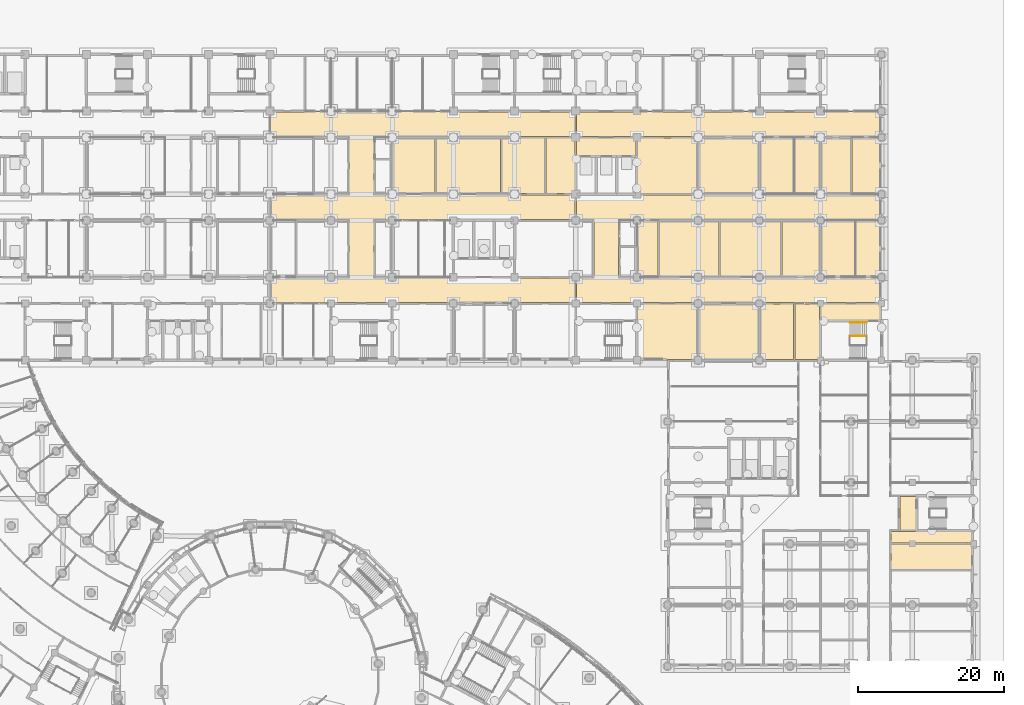
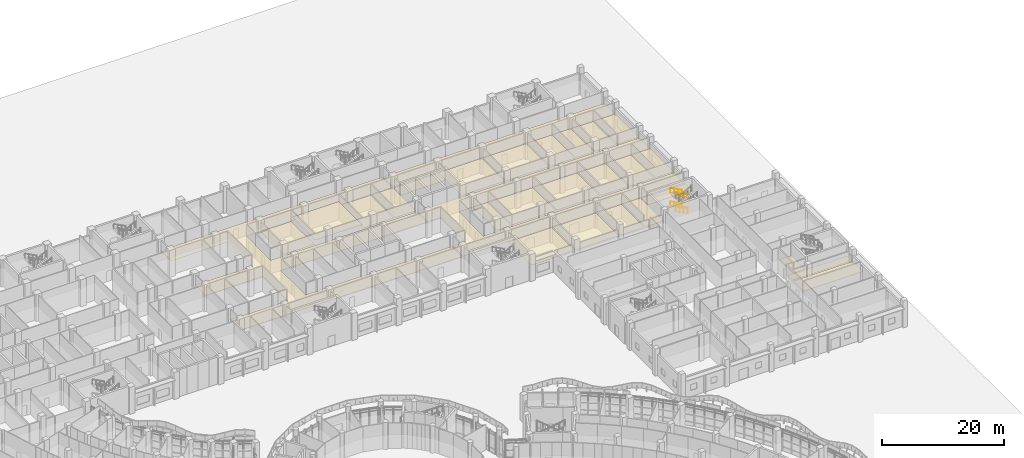
# One storey, part 138 of 146: 28 coverings, 4 railings.
"""IFC4 building model written with IfcOpenShell, lengths in metres."""

from ifc_helpers import new_model, si_unit, direction, frame, origin, origin_2d, place, context, subcontext, project, spatial, polyline, circle, outline, extrude, material, layer, layer_set, type_object, element, save


model = new_model("IFC4")

# Units and contexts
model_context = context("Model", 3, precision=1e-05, world=origin(), true_north=direction((0.0, 1.0)))
body_context = subcontext(model_context, "Body", "Model", "MODEL_VIEW")
ifc_project = project(units=[si_unit("LENGTHUNIT", "METRE"), si_unit("AREAUNIT", "SQUARE_METRE"), si_unit("VOLUMEUNIT", "CUBIC_METRE"), si_unit("PLANEANGLEUNIT", "RADIAN"), si_unit("MASSUNIT", "GRAM", prefix="KILO")], contexts=[model_context])

# Site, building, storey
site_placement = place(None, origin())
site = spatial("IfcSite", under=ifc_project, at=site_placement, CompositionType="ELEMENT")
building_placement = place(site_placement, origin())
building = spatial("IfcBuilding", under=site, at=building_placement, Name="Bougainvillea Quay General Hospital", CompositionType="ELEMENT")
storey_placement = place(building_placement, origin())
storey = spatial("IfcBuildingStorey", under=building, at=storey_placement, Name="L00", CompositionType="ELEMENT", Elevation=0.0)

# Railings
ifc_material_1 = material(Name="Stainless steel 304 balustrade", Category="steel")
railing_type_1 = type_object("IfcRailingType", Name="Stair guard 1100", PredefinedType="GUARDRAIL", material=ifc_material_1)
railing_1_placement = place(storey_placement, frame((191.10009765625, 120.949951171875, 0.14990234375)))
element("IfcRailing", 1, at=railing_1_placement, inside=storey, type_object=railing_type_1, Name="L00 ST-D4 stair guard 1", PredefinedType="GUARDRAIL", context=body_context, shape_type="SweptSolid", body=[
    extrude(circle(Radius=0.02392578125, at=origin_2d()), frame((0.0, 0.0, 1.076171875), z_axis=(-0.881447119201, 0.0, 0.472282728937), x_axis=(0.0, -1.0, 0.0)), (0.0, 0.0, 1.0), 2.541259765625),
    extrude(circle(Radius=0.02099609375, at=origin_2d()), origin(), (0.0, 0.0, 1.0), 1.052001953125),
    extrude(circle(Radius=0.02099609375, at=origin_2d()), frame((-0.74658203125, 0.0, 0.400146484375)), (0.0, 0.0, 1.0), 1.052001953125),
    extrude(circle(Radius=0.02099609375, at=origin_2d()), frame((-1.493408203125, 0.0, 0.800048828125)), (0.0, 0.0, 1.0), 1.052001953125),
    extrude(circle(Radius=0.02099609375, at=origin_2d()), frame((-2.239990234375, 0.0, 1.2001953125)), (0.0, 0.0, 1.0), 1.052001953125),
])
railing_2_placement = place(storey_placement, frame((191.10009765625, 120.949951171875, 2.85009765625)))
element("IfcRailing", 2, at=railing_2_placement, inside=storey, type_object=railing_type_1, Name="L00 ST-D4 stair guard 5", PredefinedType="GUARDRAIL", context=body_context, shape_type="SweptSolid", body=[
    extrude(circle(Radius=0.02392578125, at=origin_2d()), frame((0.0, 0.0, 1.076171875), z_axis=(-0.881487111273, 0.0, 0.472208081951), x_axis=(0.0, -1.0, 0.0)), (0.0, 0.0, 1.0), 2.541259765625),
    extrude(circle(Radius=0.02099609375, at=origin_2d()), origin(), (0.0, 0.0, 1.0), 1.052001953125),
    extrude(circle(Radius=0.02099609375, at=origin_2d()), frame((-0.74658203125, 0.0, 0.39990234375)), (0.0, 0.0, 1.0), 1.052001953125),
    extrude(circle(Radius=0.02099609375, at=origin_2d()), frame((-1.493408203125, 0.0, 0.800048828125)), (0.0, 0.0, 1.0), 1.052001953125),
    extrude(circle(Radius=0.02099609375, at=origin_2d()), frame((-2.239990234375, 0.0, 1.199951171875)), (0.0, 0.0, 1.0), 1.052001953125),
])
ifc_material_2 = material(Name="Stainless steel 304 handrail", Category="steel")
railing_type_2 = type_object("IfcRailingType", Name="Stair handrail 900", PredefinedType="HANDRAIL", material=ifc_material_2)
railing_3_placement = place(storey_placement, frame((191.10009765625, 122.77490234375, 0.14990234375)))
element("IfcRailing", 3, at=railing_3_placement, inside=storey, type_object=railing_type_2, Name="L00 ST-D4 stair handrail 1", PredefinedType="HANDRAIL", context=body_context, shape_type="SweptSolid", body=[
    extrude(circle(Radius=0.02392578125, at=origin_2d()), frame((0.0, 0.0, 0.8759765625), z_axis=(-0.881447119201, 0.0, 0.472282728937), x_axis=(0.0, -1.0, 0.0)), (0.0, 0.0, 1.0), 2.541259765625),
    extrude(circle(Radius=0.02099609375, at=origin_2d()), origin(), (0.0, 0.0, 1.0), 0.851806640625),
    extrude(circle(Radius=0.02099609375, at=origin_2d()), frame((-0.74658203125, 0.0, 0.400146484375)), (0.0, 0.0, 1.0), 0.851806640625),
    extrude(circle(Radius=0.02099609375, at=origin_2d()), frame((-1.493408203125, 0.0, 0.800048828125)), (0.0, 0.0, 1.0), 0.851806640625),
    extrude(circle(Radius=0.02099609375, at=origin_2d()), frame((-2.239990234375, 0.0, 1.2001953125)), (0.0, 0.0, 1.0), 0.851806640625),
])
railing_4_placement = place(storey_placement, frame((191.10009765625, 122.77490234375, 2.85009765625)))
element("IfcRailing", 4, at=railing_4_placement, inside=storey, type_object=railing_type_2, Name="L00 ST-D4 stair handrail 3", PredefinedType="HANDRAIL", context=body_context, shape_type="SweptSolid", body=[
    extrude(circle(Radius=0.02392578125, at=origin_2d()), frame((0.0, 0.0, 0.8759765625), z_axis=(-0.881487111273, 0.0, 0.472208081951), x_axis=(0.0, -1.0, 0.0)), (0.0, 0.0, 1.0), 2.541259765625),
    extrude(circle(Radius=0.02099609375, at=origin_2d()), origin(), (0.0, 0.0, 1.0), 0.851806640625),
    extrude(circle(Radius=0.02099609375, at=origin_2d()), frame((-0.74658203125, 0.0, 0.39990234375)), (0.0, 0.0, 1.0), 0.851806640625),
    extrude(circle(Radius=0.02099609375, at=origin_2d()), frame((-1.493408203125, 0.0, 0.800048828125)), (0.0, 0.0, 1.0), 0.851806640625),
    extrude(circle(Radius=0.02099609375, at=origin_2d()), frame((-2.239990234375, 0.0, 1.199951171875)), (0.0, 0.0, 1.0), 0.851806640625),
])

# Coverings
ifc_material_3 = material(Name="Mineral fibre ceiling tile")
ifc_layer = layer(ifc_material_3, 0.030029296875)
ifc_layer_set = layer_set([ifc_layer], Name="Mineral fibre ceiling tile")
covering_type = type_object("IfcCoveringType", Name="Suspended ceiling mineral fibre tile", PredefinedType="CEILING", material=ifc_layer_set)
covering_1_placement = place(storey_placement, frame((0.0, 0.0, 2.699951171875)))
element("IfcCovering", 5, at=covering_1_placement, inside=storey, type_object=covering_type, Name="Ceiling Corridor V4-3", PredefinedType="CEILING", context=body_context, shape_type="SweptSolid", body=[
    extrude(outline(polyline([(193.199951171875, 140.35009765625), (189.10009765625, 140.35009765625), (189.10009765625, 140.300048828125), (184.699951171875, 140.300048828125), (184.699951171875, 140.35009765625), (176.5, 140.35009765625), (176.5, 140.300048828125), (159.5, 140.300048828125), (159.5, 140.35009765625), (151.300048828125, 140.35009765625), (151.300048828125, 136.89990234375), (153.699951171875, 136.89990234375), (153.699951171875, 128.89990234375), (151.300048828125, 128.89990234375), (151.300048828125, 125.5), (181.300048828125, 125.5), (181.300048828125, 125.449951171875), (184.699951171875, 125.449951171875), (184.699951171875, 125.5), (193.199951171875, 125.5), (193.199951171875, 128.949951171875), (184.89990234375, 128.949951171875), (184.89990234375, 128.89990234375), (162.5, 128.89990234375), (162.5, 128.949951171875), (159.699951171875, 128.949951171875), (159.699951171875, 128.89990234375), (157.10009765625, 128.89990234375), (157.10009765625, 133.300048828125), (157.14990234375, 133.300048828125), (157.14990234375, 136.85009765625), (162.5, 136.85009765625), (162.5, 136.89990234375), (184.89990234375, 136.89990234375), (184.89990234375, 136.85009765625), (193.199951171875, 136.85009765625), (193.199951171875, 140.35009765625)])), origin(), (0.0, 0.0, 1.0), 0.030029296875),
])
covering_2_placement = place(storey_placement, frame((0.0, 0.0, 2.699951171875)))
element("IfcCovering", 6, at=covering_2_placement, inside=storey, type_object=covering_type, Name="Ceiling Corridor V4-4", PredefinedType="CEILING", context=body_context, shape_type="SweptSolid", body=[
    extrude(outline(polyline([(193.199951171875, 151.75), (184.89990234375, 151.75), (184.89990234375, 151.699951171875), (176.300048828125, 151.699951171875), (176.300048828125, 151.75), (172.89990234375, 151.75), (172.89990234375, 151.699951171875), (163.10009765625, 151.699951171875), (163.10009765625, 151.75), (159.699951171875, 151.75), (159.699951171875, 151.699951171875), (151.300048828125, 151.699951171875), (151.300048828125, 148.300048828125), (176.5, 148.300048828125), (176.5, 148.25), (184.699951171875, 148.25), (184.699951171875, 148.300048828125), (189.10009765625, 148.300048828125), (189.10009765625, 148.25), (193.199951171875, 148.25), (193.199951171875, 151.75)])), origin(), (0.0, 0.0, 1.0), 0.030029296875),
])
covering_3_placement = place(storey_placement, frame((0.0, 0.0, 2.699951171875)))
element("IfcCovering", 7, at=covering_3_placement, inside=storey, type_object=covering_type, Name="Ceiling Corridor V4-5", PredefinedType="CEILING", context=body_context, shape_type="SweptSolid", body=[
    extrude(outline(polyline([(109.300048828125, 136.85009765625), (112.699951171875, 136.85009765625), (112.699951171875, 136.89990234375), (120.10009765625, 136.89990234375), (120.10009765625, 128.89990234375), (112.699951171875, 128.89990234375), (112.699951171875, 128.949951171875), (109.300048828125, 128.949951171875), (109.300048828125, 125.449951171875), (117.5, 125.449951171875), (117.5, 125.5), (138.699951171875, 125.5), (138.699951171875, 125.449951171875), (142.699951171875, 125.449951171875), (142.699951171875, 125.5), (151.10009765625, 125.5), (151.10009765625, 128.89990234375), (134.300048828125, 128.89990234375), (134.300048828125, 128.949951171875), (126.10009765625, 128.949951171875), (126.10009765625, 128.89990234375), (123.5, 128.89990234375), (123.5, 136.89990234375), (126.10009765625, 136.89990234375), (126.10009765625, 136.85009765625), (142.699951171875, 136.85009765625), (142.699951171875, 136.89990234375), (151.10009765625, 136.89990234375), (151.10009765625, 140.300048828125), (123.5, 140.300048828125), (123.5, 145.300048828125), (123.550048828125, 145.300048828125), (123.550048828125, 148.25), (125.89990234375, 148.25), (125.89990234375, 148.300048828125), (151.10009765625, 148.300048828125), (151.10009765625, 151.699951171875), (134.300048828125, 151.699951171875), (134.300048828125, 151.75), (114.097900390625, 151.75), (114.097900390625, 151.699951171875), (109.300048828125, 151.699951171875), (109.300048828125, 148.25), (115.10009765625, 148.25), (115.10009765625, 148.300048828125), (120.10009765625, 148.300048828125), (120.10009765625, 140.300048828125), (115.10009765625, 140.300048828125), (115.10009765625, 140.35009765625), (109.300048828125, 140.35009765625), (109.300048828125, 136.85009765625)])), origin(), (0.0, 0.0, 1.0), 0.030029296875),
])
covering_4_placement = place(storey_placement, frame((0.0, 0.0, 2.699951171875)))
element("IfcCovering", 8, at=covering_4_placement, inside=storey, type_object=covering_type, Name="Ceiling Fire Lift Lobby LB-A2", PredefinedType="CEILING", context=body_context, shape_type="SweptSolid", body=[
    extrude(outline(polyline([(159.5, 148.10009765625), (151.300048828125, 148.10009765625), (151.300048828125, 145.699951171875), (159.5, 145.699951171875), (159.5, 148.10009765625)])), origin(), (0.0, 0.0, 1.0), 0.030029296875),
])
covering_5_placement = place(storey_placement, frame((0.0, 0.0, 2.699951171875)))
element("IfcCovering", 9, at=covering_5_placement, inside=storey, type_object=covering_type, Name="Ceiling Smoke-proof Stair Vestibule ST-D4", PredefinedType="CEILING", context=body_context, shape_type="SweptSolid", body=[
    extrude(outline(polyline([(193.199951171875, 125.300048828125), (184.89990234375, 125.300048828125), (184.89990234375, 123.10009765625), (193.199951171875, 123.10009765625), (193.199951171875, 125.300048828125)])), origin(), (0.0, 0.0, 1.0), 0.030029296875),
])
covering_6_placement = place(storey_placement, frame((0.0, 0.0, 2.699951171875)))
element("IfcCovering", 10, at=covering_6_placement, inside=storey, type_object=covering_type, Name="Ceiling Smoke-proof Stair Vestibule ST-T2", PredefinedType="CEILING", context=body_context, shape_type="SweptSolid", body=[
    extrude(outline(polyline([(197.89990234375, 94.300048828125), (197.89990234375, 98.89990234375), (195.699951171875, 98.89990234375), (195.699951171875, 94.300048828125), (197.89990234375, 94.300048828125)])), origin(), (0.0, 0.0, 1.0), 0.030029296875),
])
covering_7_placement = place(storey_placement, frame((0.0, 0.0, 2.800048828125)))
element("IfcCovering", 11, at=covering_7_placement, inside=storey, type_object=covering_type, Name="Ceiling Theatre Sterile Pack Store", PredefinedType="CEILING", context=body_context, shape_type="SweptSolid", body=[
    extrude(outline(polyline([(205.800048828125, 94.10009765625), (194.5, 94.10009765625), (194.5, 92.5), (205.800048828125, 92.5), (205.800048828125, 94.10009765625)])), origin(), (0.0, 0.0, 1.0), 0.030029296875),
])
covering_8_placement = place(storey_placement, frame((0.0, 0.0, 2.800048828125)))
element("IfcCovering", 12, at=covering_8_placement, inside=storey, type_object=covering_type, Name="Ceiling Theatre Waste Holding Room", PredefinedType="CEILING", context=body_context, shape_type="SweptSolid", body=[
    extrude(outline(polyline([(205.800048828125, 92.300048828125), (194.5, 92.300048828125), (194.5, 88.89990234375), (205.800048828125, 88.89990234375), (205.800048828125, 92.300048828125)])), origin(), (0.0, 0.0, 1.0), 0.030029296875),
])
covering_9_placement = place(storey_placement, frame((0.0, 0.0, 2.800048828125)))
element("IfcCovering", 13, at=covering_9_placement, inside=storey, type_object=covering_type, Name="Ceiling Sterile Supply Receiving Room", PredefinedType="CEILING", context=body_context, shape_type="SweptSolid", body=[
    extrude(outline(polyline([(159.60009765625, 117.597900390625), (163.800048828125, 117.597900390625), (163.800048828125, 117.699951171875), (167.89990234375, 117.699951171875), (167.89990234375, 125.300048828125), (159.699951171875, 125.300048828125), (159.699951171875, 117.60009765625), (159.60009765625, 117.60009765625), (159.60009765625, 117.597900390625)])), origin(), (0.0, 0.0, 1.0), 0.030029296875),
])
covering_10_placement = place(storey_placement, frame((0.0, 0.0, 2.800048828125)))
element("IfcCovering", 14, at=covering_10_placement, inside=storey, type_object=covering_type, Name="Ceiling Sterile Supply Dispatch Room", PredefinedType="CEILING", context=body_context, shape_type="SweptSolid", body=[
    extrude(outline(polyline([(176.300048828125, 125.300048828125), (168.10009765625, 125.300048828125), (168.10009765625, 117.699951171875), (176.300048828125, 117.699951171875), (176.300048828125, 125.300048828125)])), origin(), (0.0, 0.0, 1.0), 0.030029296875),
])
covering_11_placement = place(storey_placement, frame((0.0, 0.0, 2.800048828125)))
element("IfcCovering", 15, at=covering_11_placement, inside=storey, type_object=covering_type, Name="Ceiling Instrument Tray Store", PredefinedType="CEILING", context=body_context, shape_type="SweptSolid", body=[
    extrude(outline(polyline([(181.10009765625, 125.300048828125), (176.5, 125.300048828125), (176.5, 117.699951171875), (181.10009765625, 117.699951171875), (181.10009765625, 125.300048828125)])), origin(), (0.0, 0.0, 1.0), 0.030029296875),
])
covering_12_placement = place(storey_placement, frame((0.0, 0.0, 2.800048828125)))
element("IfcCovering", 16, at=covering_12_placement, inside=storey, type_object=covering_type, Name="Ceiling Sterile Supply Trolley Park", PredefinedType="CEILING", context=body_context, shape_type="SweptSolid", body=[
    extrude(outline(polyline([(184.75, 117.699951171875), (184.75, 122.89990234375), (184.699951171875, 122.89990234375), (184.699951171875, 125.35009765625), (181.300048828125, 125.35009765625), (181.300048828125, 117.699951171875), (184.75, 117.699951171875)])), origin(), (0.0, 0.0, 1.0), 0.030029296875),
])
covering_13_placement = place(storey_placement, frame((0.0, 0.0, 2.800048828125)))
element("IfcCovering", 17, at=covering_13_placement, inside=storey, type_object=covering_type, Name="Ceiling Sterile Supply Staff WC", PredefinedType="CEILING", context=body_context, shape_type="SweptSolid", body=[
    extrude(outline(polyline([(159.64990234375, 133.300048828125), (159.699951171875, 133.300048828125), (159.699951171875, 129.050048828125), (162.5, 129.050048828125), (162.5, 136.75), (159.64990234375, 136.75), (159.64990234375, 133.300048828125)])), origin(), (0.0, 0.0, 1.0), 0.030029296875),
])
covering_14_placement = place(storey_placement, frame((0.0, 0.0, 2.800048828125)))
element("IfcCovering", 18, at=covering_14_placement, inside=storey, type_object=covering_type, Name="Ceiling Sterile Supply Receiving Room", PredefinedType="CEILING", context=body_context, shape_type="SweptSolid", body=[
    extrude(outline(polyline([(162.699951171875, 129.10009765625), (170.89990234375, 129.10009765625), (170.89990234375, 136.699951171875), (162.699951171875, 136.699951171875), (162.699951171875, 129.10009765625)])), origin(), (0.0, 0.0, 1.0), 0.030029296875),
])
covering_15_placement = place(storey_placement, frame((0.0, 0.0, 2.800048828125)))
element("IfcCovering", 19, at=covering_15_placement, inside=storey, type_object=covering_type, Name="Ceiling Sterile Supply Dispatch Room", PredefinedType="CEILING", context=body_context, shape_type="SweptSolid", body=[
    extrude(outline(polyline([(171.10009765625, 136.699951171875), (171.10009765625, 129.10009765625), (179.300048828125, 129.10009765625), (179.300048828125, 136.699951171875), (171.10009765625, 136.699951171875)])), origin(), (0.0, 0.0, 1.0), 0.030029296875),
])
covering_16_placement = place(storey_placement, frame((0.0, 0.0, 2.800048828125)))
element("IfcCovering", 20, at=covering_16_placement, inside=storey, type_object=covering_type, Name="Ceiling Instrument Tray Store", PredefinedType="CEILING", context=body_context, shape_type="SweptSolid", body=[
    extrude(outline(polyline([(184.699951171875, 129.10009765625), (184.699951171875, 136.699951171875), (179.5, 136.699951171875), (179.5, 129.10009765625), (184.699951171875, 129.10009765625)])), origin(), (0.0, 0.0, 1.0), 0.030029296875),
])
covering_17_placement = place(storey_placement, frame((0.0, 0.0, 2.800048828125)))
element("IfcCovering", 21, at=covering_17_placement, inside=storey, type_object=covering_type, Name="Ceiling Sterile Supply Trolley Park", PredefinedType="CEILING", context=body_context, shape_type="SweptSolid", body=[
    extrude(outline(polyline([(189.550048828125, 129.050048828125), (189.550048828125, 136.75), (184.89990234375, 136.75), (184.89990234375, 129.050048828125), (189.550048828125, 129.050048828125)])), origin(), (0.0, 0.0, 1.0), 0.030029296875),
])
covering_18_placement = place(storey_placement, frame((0.0, 0.0, 2.800048828125)))
element("IfcCovering", 22, at=covering_18_placement, inside=storey, type_object=covering_type, Name="Ceiling Sterile Supply Link Lobby", PredefinedType="CEILING", context=body_context, shape_type="SweptSolid", body=[
    extrude(outline(polyline([(193.199951171875, 136.75), (189.64990234375, 136.75), (189.64990234375, 129.050048828125), (193.199951171875, 129.050048828125), (193.199951171875, 136.75)])), origin(), (0.0, 0.0, 1.0), 0.030029296875),
])
covering_19_placement = place(storey_placement, frame((0.0, 0.0, 2.800048828125)))
element("IfcCovering", 23, at=covering_19_placement, inside=storey, type_object=covering_type, Name="Ceiling Laundry Soiled Linen Reception", PredefinedType="CEILING", context=body_context, shape_type="SweptSolid", body=[
    extrude(outline(polyline([(131.89990234375, 148.10009765625), (126.10009765625, 148.10009765625), (126.10009765625, 140.5), (131.89990234375, 140.5), (131.89990234375, 148.10009765625)])), origin(), (0.0, 0.0, 1.0), 0.030029296875),
])
covering_20_placement = place(storey_placement, frame((0.0, 0.0, 3.60009765625)))
element("IfcCovering", 24, at=covering_20_placement, inside=storey, type_object=covering_type, Name="Ceiling Laundry Washing Hall", PredefinedType="CEILING", context=body_context, shape_type="SweptSolid", body=[
    extrude(outline(polyline([(132.10009765625, 140.5), (140.89990234375, 140.5), (140.89990234375, 148.10009765625), (132.10009765625, 148.10009765625), (132.10009765625, 140.5)])), origin(), (0.0, 0.0, 1.0), 0.02978515625),
])
covering_21_placement = place(storey_placement, frame((0.0, 0.0, 2.800048828125)))
element("IfcCovering", 25, at=covering_21_placement, inside=storey, type_object=covering_type, Name="Ceiling Laundry Finishing Room", PredefinedType="CEILING", context=body_context, shape_type="SweptSolid", body=[
    extrude(outline(polyline([(141.10009765625, 140.5), (146.89990234375, 140.5), (146.89990234375, 148.10009765625), (141.10009765625, 148.10009765625), (141.10009765625, 140.5)])), origin(), (0.0, 0.0, 1.0), 0.030029296875),
])
covering_22_placement = place(storey_placement, frame((0.0, 0.0, 2.800048828125)))
element("IfcCovering", 26, at=covering_22_placement, inside=storey, type_object=covering_type, Name="Ceiling Clean Linen Store", PredefinedType="CEILING", context=body_context, shape_type="SweptSolid", body=[
    extrude(outline(polyline([(147.10009765625, 148.10009765625), (147.10009765625, 140.5), (151.10009765625, 140.5), (151.10009765625, 148.10009765625), (147.10009765625, 148.10009765625)])), origin(), (0.0, 0.0, 1.0), 0.030029296875),
])
covering_23_placement = place(storey_placement, frame((0.0, 0.0, 2.800048828125)))
element("IfcCovering", 27, at=covering_23_placement, inside=storey, type_object=covering_type, Name="Ceiling Mortuary Body Store", PredefinedType="CEILING", context=body_context, shape_type="SweptSolid", body=[
    extrude(outline(polyline([(167.89990234375, 140.5), (167.89990234375, 148.10009765625), (159.699951171875, 148.10009765625), (159.699951171875, 140.5), (167.89990234375, 140.5)])), origin(), (0.0, 0.0, 1.0), 0.030029296875),
])
covering_24_placement = place(storey_placement, frame((0.0, 0.0, 2.800048828125)))
element("IfcCovering", 28, at=covering_24_placement, inside=storey, type_object=covering_type, Name="Ceiling Mortuary Autopsy Room", PredefinedType="CEILING", context=body_context, shape_type="SweptSolid", body=[
    extrude(outline(polyline([(176.300048828125, 148.10009765625), (168.10009765625, 148.10009765625), (168.10009765625, 140.5), (176.300048828125, 140.5), (176.300048828125, 148.10009765625)])), origin(), (0.0, 0.0, 1.0), 0.030029296875),
])
covering_25_placement = place(storey_placement, frame((0.0, 0.0, 2.800048828125)))
element("IfcCovering", 29, at=covering_25_placement, inside=storey, type_object=covering_type, Name="Ceiling Mortuary Viewing Room", PredefinedType="CEILING", context=body_context, shape_type="SweptSolid", body=[
    extrude(outline(polyline([(181.14990234375, 140.449951171875), (181.14990234375, 148.14990234375), (176.5, 148.14990234375), (176.5, 140.449951171875), (181.14990234375, 140.449951171875)])), origin(), (0.0, 0.0, 1.0), 0.030029296875),
])
covering_26_placement = place(storey_placement, frame((0.0, 0.0, 2.800048828125)))
element("IfcCovering", 30, at=covering_26_placement, inside=storey, type_object=covering_type, Name="Ceiling Mortuary Relatives' Room", PredefinedType="CEILING", context=body_context, shape_type="SweptSolid", body=[
    extrude(outline(polyline([(184.699951171875, 140.449951171875), (184.699951171875, 148.14990234375), (181.25, 148.14990234375), (181.25, 140.449951171875), (184.699951171875, 140.449951171875)])), origin(), (0.0, 0.0, 1.0), 0.030029296875),
])
covering_27_placement = place(storey_placement, frame((0.0, 0.0, 2.800048828125)))
element("IfcCovering", 31, at=covering_27_placement, inside=storey, type_object=covering_type, Name="Ceiling Mortuary Autopsy Room", PredefinedType="CEILING", context=body_context, shape_type="SweptSolid", body=[
    extrude(outline(polyline([(188.89990234375, 140.5), (188.89990234375, 148.10009765625), (184.89990234375, 148.10009765625), (184.89990234375, 140.5), (188.89990234375, 140.5)])), origin(), (0.0, 0.0, 1.0), 0.030029296875),
])
covering_28_placement = place(storey_placement, frame((0.0, 0.0, 2.800048828125)))
element("IfcCovering", 32, at=covering_28_placement, inside=storey, type_object=covering_type, Name="Ceiling Mortuary Office", PredefinedType="CEILING", context=body_context, shape_type="SweptSolid", body=[
    extrude(outline(polyline([(193.199951171875, 148.14990234375), (189.10009765625, 148.14990234375), (189.10009765625, 140.449951171875), (193.199951171875, 140.449951171875), (193.199951171875, 148.14990234375)])), origin(), (0.0, 0.0, 1.0), 0.030029296875),
])

save(model, "model.ifc")
